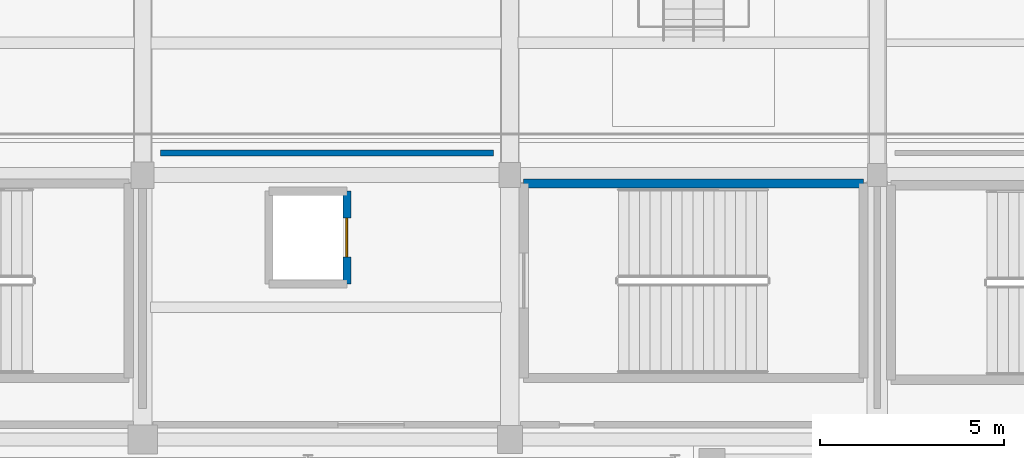
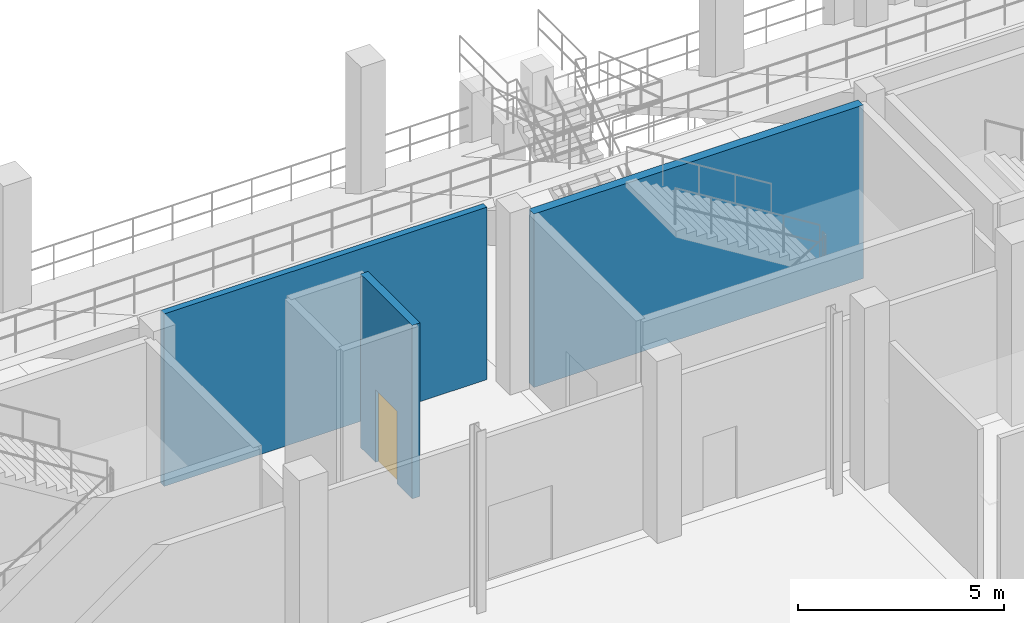
# One storey, part 75 of 127: 3 walls, 1 door, 1 opening.
"""IFC4 building model written with IfcOpenShell, lengths in metres."""

import ifcopenshell
import ifcopenshell.guid

model = None  # the IFC model being written
_history = None  # IfcOwnerHistory: only IFC2X3 demands one
_inside = {}  # id of a spatial element -> (the spatial element, [elements in it])
_under = {}  # id of a project, library or spatial element -> (it, [spatial elements below it])
_declared = {}  # id of a project -> (the project, [libraries it declares])
_typed = {}  # id of a type object -> (the type object, [elements of that type])
_made_of = {}  # id of a material, layer set ... -> (it, [elements and type objects made of it])


def new_model(schema):
    """Start an empty IFC model of exactly this schema.

    Asked for "IFC4X3", IfcOpenShell would pick the latest addendum, in which some entities
    have other attributes; the version numbers below select the first issue.
    IFC2X3 requires an IfcOwnerHistory on every rooted entity: one is made here for all.
    """
    global model, _history
    if schema == "IFC4X3":
        model = ifcopenshell.file(schema_version=(4, 3, 0, 0))
    else:
        model = ifcopenshell.file(schema=schema)
    _inside.clear()
    _under.clear()
    _declared.clear()
    _typed.clear()
    _made_of.clear()
    _history = None
    if model.schema == "IFC2X3":
        org = make("IfcOrganization", Name="unknown")
        user = make(
            "IfcPersonAndOrganization",
            ThePerson=make("IfcPerson", FamilyName="unknown"),
            TheOrganization=org,
        )
        app = make(
            "IfcApplication",
            ApplicationDeveloper=org,
            Version="unknown",
            ApplicationFullName="unknown",
            ApplicationIdentifier="unknown",
        )
        _history = make(
            "IfcOwnerHistory",
            OwningUser=user,
            OwningApplication=app,
            ChangeAction="ADDED",
            CreationDate=0,
        )
    return model


def make(cls, **values):
    """One entity of the class cls with the attributes given. An attribute that is None is left unset."""
    return model.create_entity(
        cls, **{name: value for name, value in values.items() if value is not None}
    )


def rooted(cls, **values):
    """An entity with a GlobalId (a new one), such as an element, a storey or a relation."""
    return make(cls, GlobalId=ifcopenshell.guid.new(), OwnerHistory=_history, **values)


def si_unit(unit_type, name, prefix=None):
    """IfcSIUnit, for example si_unit("LENGTHUNIT", "METRE", prefix="MILLI")."""
    return make("IfcSIUnit", UnitType=unit_type, Prefix=prefix, Name=name)


def assignment(units):
    """IfcUnitAssignment: the units of a project."""
    return None if units is None else make("IfcUnitAssignment", Units=units)


def point(xyz):
    """IfcCartesianPoint."""
    return None if xyz is None else make("IfcCartesianPoint", Coordinates=xyz)


def direction(xyz):
    """IfcDirection."""
    return None if xyz is None else make("IfcDirection", DirectionRatios=xyz)


def frame(location, z_axis=None, x_axis=None):
    """IfcAxis2Placement3D, a coordinate frame: its origin and axes. An axis left out is left unset."""
    return make(
        "IfcAxis2Placement3D",
        Location=point(location),
        Axis=direction(z_axis),
        RefDirection=direction(x_axis),
    )


def frame_2d(location, x_axis=None):
    """IfcAxis2Placement2D, a coordinate frame in the plane: its origin and x axis."""
    return make(
        "IfcAxis2Placement2D", Location=point(location), RefDirection=direction(x_axis)
    )


def origin():
    """The frame at (0, 0, 0) with its axes left unset."""
    return frame((0.0, 0.0, 0.0))


def place(relative_to, where):
    """IfcLocalPlacement: puts the frame where relative to a parent placement (None: the world)."""
    return make(
        "IfcLocalPlacement", PlacementRelTo=relative_to, RelativePlacement=where
    )


def context(
    kind, dimensions, precision=None, world=None, true_north=None, identifier=None
):
    """IfcGeometricRepresentationContext, for example the 3D "Model" context."""
    return make(
        "IfcGeometricRepresentationContext",
        ContextIdentifier=identifier,
        ContextType=kind,
        CoordinateSpaceDimension=dimensions,
        Precision=precision,
        WorldCoordinateSystem=world,
        TrueNorth=true_north,
    )


def subcontext(parent, identifier, kind, view, scale=None):
    """IfcGeometricRepresentationSubContext, for example "Body" below "Model"."""
    return make(
        "IfcGeometricRepresentationSubContext",
        ContextIdentifier=identifier,
        ContextType=kind,
        ParentContext=parent,
        TargetScale=scale,
        TargetView=view,
    )


def project(units=None, contexts=None):
    """IfcProject with its units and contexts."""
    return rooted(
        "IfcProject",
        Name="project",
        RepresentationContexts=contexts,
        UnitsInContext=assignment(units),
    )


def spatial(cls, under=None, at=None, **own):
    """A site, building, storey or space (cls), placed at a placement, below another one or the project."""
    s = rooted(cls, ObjectPlacement=at, **own)
    if under is not None:
        _under.setdefault(under.id(), (under, []))[1].append(s)
    return s


def profile(cls, at=None, kind="AREA", **sizes):
    """A parametric profile (cls). Its sizes go by their IFC names, for example OverallWidth=200.0."""
    return make(cls, ProfileType=kind, Position=at, **sizes)


def rectangle(**sizes):
    """IfcRectangleProfileDef."""
    return profile("IfcRectangleProfileDef", **sizes)


def extrude(swept, where, along, depth):
    """IfcExtrudedAreaSolid: the profile swept, set in the frame where, extruded along a direction by depth."""
    return make(
        "IfcExtrudedAreaSolid",
        SweptArea=swept,
        Position=where,
        ExtrudedDirection=direction(along),
        Depth=depth,
    )


def shape(context_of_items, identifier, shape_type, items):
    """IfcShapeRepresentation: the items that make up one representation, for example the "Body"."""
    return make(
        "IfcShapeRepresentation",
        ContextOfItems=context_of_items,
        RepresentationIdentifier=identifier,
        RepresentationType=shape_type,
        Items=items,
    )


def material(Name=None, Category=None):
    """IfcMaterial."""
    return make("IfcMaterial", Name=Name, Category=Category)


def layer(
    of_material, thickness, ventilated=None, Name=None, Category=None, Priority=None
):
    """IfcMaterialLayer: one layer of a wall or slab, of a material (None: an air gap)."""
    return make(
        "IfcMaterialLayer",
        Material=of_material,
        LayerThickness=thickness,
        IsVentilated=ventilated,
        Name=Name,
        Category=Category,
        Priority=Priority,
    )


def layer_set(layers, Name=None):
    """IfcMaterialLayerSet."""
    return make("IfcMaterialLayerSet", MaterialLayers=layers, LayerSetName=Name)


def made_of(thing, what):
    """Note that an element or type object is made of a material, layer set ...; save() writes the relation."""
    if what is not None:
        _made_of.setdefault(what.id(), (what, []))[1].append(thing)
    return thing


def type_object(cls, material=None, **own):
    """A type object (cls), such as IfcWallType, which elements share."""
    return made_of(rooted(cls, **own), material)


def element(
    cls,
    number,
    at=None,
    inside=None,
    cuts=None,
    type_object=None,
    material=None,
    context=None,
    identifier="Body",
    shape_type=None,
    held_by="IfcProductDefinitionShape",
    body=None,
    shapes=None,
    **own,
):
    """One element of the class cls, such as IfcWall. Its Tag is "e" and its number.

    at: its placement. inside: the storey or other place that contains it. cuts: it is an
    opening in that element (IfcRelVoidsElement). A single representation is given by context,
    identifier, shape_type and body (its items); several are given by shapes. held_by: the class
    of the entity that holds the representations. save() writes the other relations.
    """
    e = rooted(cls, Tag="e%d" % number, ObjectPlacement=at, **own)
    if body is not None:
        shapes = [shape(context, identifier, shape_type, body)]
    if shapes is not None:
        e.Representation = make(held_by, Representations=shapes)
    if inside is not None:
        _inside.setdefault(inside.id(), (inside, []))[1].append(e)
    if cuts is not None:
        rooted(
            "IfcRelVoidsElement", RelatingBuildingElement=cuts, RelatedOpeningElement=e
        )
    if type_object is not None:
        _typed.setdefault(type_object.id(), (type_object, []))[1].append(e)
    return made_of(e, material)


def fill(opening, filler):
    """IfcRelFillsElement: the door or window that sits in an opening."""
    return rooted(
        "IfcRelFillsElement",
        RelatingOpeningElement=opening,
        RelatedBuildingElement=filler,
    )


def aggregate(whole, parts):
    """IfcRelAggregates: a whole, such as a stair, and the parts it consists of."""
    return rooted("IfcRelAggregates", RelatingObject=whole, RelatedObjects=parts)


def save(model, path):
    """Write the relations noted so far, then the file.

    IfcRelAggregates (storeys below a building ...), IfcRelContainedInSpatialStructure (elements
    in a storey), IfcRelDefinesByType, IfcRelAssociatesMaterial and IfcRelDeclares: one each for
    every whole, place, type object, material and project.
    """
    for whole, parts in _under.values():
        aggregate(whole, parts)
    for where, things in _inside.values():
        rooted(
            "IfcRelContainedInSpatialStructure",
            RelatedElements=things,
            RelatingStructure=where,
        )
    for kind, things in _typed.values():
        rooted("IfcRelDefinesByType", RelatedObjects=things, RelatingType=kind)
    for what, things in _made_of.values():
        rooted("IfcRelAssociatesMaterial", RelatedObjects=things, RelatingMaterial=what)
    for by, libraries in _declared.values():
        rooted("IfcRelDeclares", RelatingContext=by, RelatedDefinitions=libraries)
    model.write(path)


model = new_model("IFC4")

# Units and contexts
model_context = context("Model", 3, precision=1e-05, world=origin(), true_north=direction((0.0, 1.0)))
body_context = subcontext(model_context, "Body", "Model", "MODEL_VIEW")
ifc_project = project(units=[si_unit("LENGTHUNIT", "METRE"), si_unit("AREAUNIT", "SQUARE_METRE"), si_unit("VOLUMEUNIT", "CUBIC_METRE"), si_unit("PLANEANGLEUNIT", "RADIAN"), si_unit("MASSUNIT", "GRAM", prefix="KILO")], contexts=[model_context])

# Site, building, storey
site_placement = place(None, origin())
site = spatial("IfcSite", under=ifc_project, at=site_placement, CompositionType="ELEMENT")
building_placement = place(site_placement, origin())
building = spatial("IfcBuilding", under=site, at=building_placement, Name="Candeia Ridge Stadium", CompositionType="ELEMENT")
storey_placement = place(building_placement, frame((0.0, 0.0, 10.800048828125)))
storey = spatial("IfcBuildingStorey", under=building, at=storey_placement, Name="L02", CompositionType="ELEMENT", Elevation=10.800048828125)

# Wall
ifc_material_1 = material(Name="Concrete C40/50", Category="concrete")
ifc_layer_1 = layer(ifc_material_1, 0.25, Name="Concrete C40/50", Category="concrete")
ifc_layer_set_1 = layer_set([ifc_layer_1], Name="Concrete C40/50")
wall_type_1 = type_object("IfcWallType", Name="Core Shear Wall Concrete 250", PredefinedType="SHEAR", material=ifc_layer_set_1)
wall_1_placement = place(storey_placement, frame((130.62451171875, 25.974609375, 0.0), z_axis=(0.0, 0.0, 1.0), x_axis=(-1.0, 0.0, 0.0)))
element("IfcWall", 1, at=wall_1_placement, inside=storey, type_object=wall_type_1, Name="Core C12 right shear wall L02", PredefinedType="SHEAR", context=body_context, shape_type="SweptSolid", body=[
    extrude(rectangle(XDim=9.2490234375, YDim=0.25, at=frame_2d((4.62451171875, 0.0))), origin(), (0.0, 0.0, 1.0), 5.14990234375),
])

# Wall, opening, door
ifc_layer_2 = layer(ifc_material_1, 0.219970703125, Name="Concrete C40/50", Category="concrete")
ifc_layer_set_2 = layer_set([ifc_layer_2], Name="Concrete C40/50")
wall_type_2 = type_object("IfcWallType", Name="Lift & Riser Shaft Wall 220", PredefinedType="SHEAR", material=ifc_layer_set_2)
wall_2_placement = place(storey_placement, frame((116.56005859375, 23.239990234375, 0.0), z_axis=(0.0, 0.0, 1.0), x_axis=(0.0, 1.0, 0.0)))
wall_2 = element("IfcWall", 2, at=wall_2_placement, inside=storey, type_object=wall_type_2, Name="Lift PL4 shaft wall L02 east", PredefinedType="SHEAR", context=body_context, shape_type="SweptSolid", body=[
    extrude(rectangle(XDim=2.52001953125, YDim=0.219970703125, at=frame_2d((1.260009765625, 0.0))), origin(), (0.0, 0.0, 1.0), 5.14990234375),
])
opening_placement = place(wall_2_placement, frame((0.735107421875, 0.0, 0.0)))
opening = element("IfcOpeningElement", 3, at=opening_placement, cuts=wall_2, Name="Opening LD02", PredefinedType="OPENING", context=body_context, shape_type="SweptSolid", body=[
    extrude(rectangle(XDim=1.050048828125, YDim=2.14990234375, at=frame_2d((0.52490234375, 1.074951171875))), frame((0.0, 0.119873046875, 0.0), z_axis=(0.0, -1.0, 0.0), x_axis=(1.0, 0.0, 0.0)), (0.0, 0.0, 1.0), 0.239990234375),
])
ifc_material_2 = material(Name="Brushed Stainless Steel", Category="steel")
door_type = type_object("IfcDoorType", Name="Passenger Lift Landing Door 1050x2150", OperationType="NOTDEFINED", PredefinedType="DOOR", material=ifc_material_2)
door_placement = place(opening_placement, origin())
door = element("IfcDoor", 4, at=door_placement, inside=storey, type_object=door_type, Name="Lift landing sliding door LD-PL4-L02", OperationType="DOUBLE_DOOR_SLIDING", OverallHeight=2.14990234375, OverallWidth=1.050048828125, PredefinedType="DOOR", context=body_context, shape_type="SweptSolid", body=[
    extrude(rectangle(XDim=1.050048828125, YDim=2.14990234375, at=frame_2d((0.52490234375, 1.074951171875))), frame((0.0, 0.02490234375, 0.0), z_axis=(0.0, -1.0, 0.0), x_axis=(1.0, 0.0, 0.0)), (0.0, 0.0, 1.0), 0.050048828125),
])
fill(opening, door)

# Wall
ifc_material_3 = material(Name="Gypsum Acoustic Twin-Stud Assembly", Category="gypsum")
ifc_layer_3 = layer(ifc_material_3, 0.175048828125, Name="Gypsum Acoustic Twin-Stud Assembly", Category="gypsum")
ifc_layer_set_3 = layer_set([ifc_layer_3], Name="Gypsum Acoustic Twin-Stud Assembly")
wall_type_3 = type_object("IfcWallType", Name="Museum Acoustic Gallery Wall 175", PredefinedType="PARTITIONING", material=ifc_layer_set_3)
wall_3_placement = place(storey_placement, frame((111.489990234375, 26.800048828125, 0.0), z_axis=(0.0, 0.0, 1.0), x_axis=(1.0, 0.0, 0.0)))
element("IfcWall", 5, at=wall_3_placement, inside=storey, type_object=wall_type_3, Name="Demising partition PT-L02-0480", PredefinedType="PARTITIONING", context=body_context, shape_type="SweptSolid", body=[
    extrude(rectangle(XDim=9.06005859375, YDim=0.175048828125, at=frame_2d((4.530029296875, 0.0))), origin(), (0.0, 0.0, 1.0), 5.119873046875),
])

save(model, "model.ifc")
